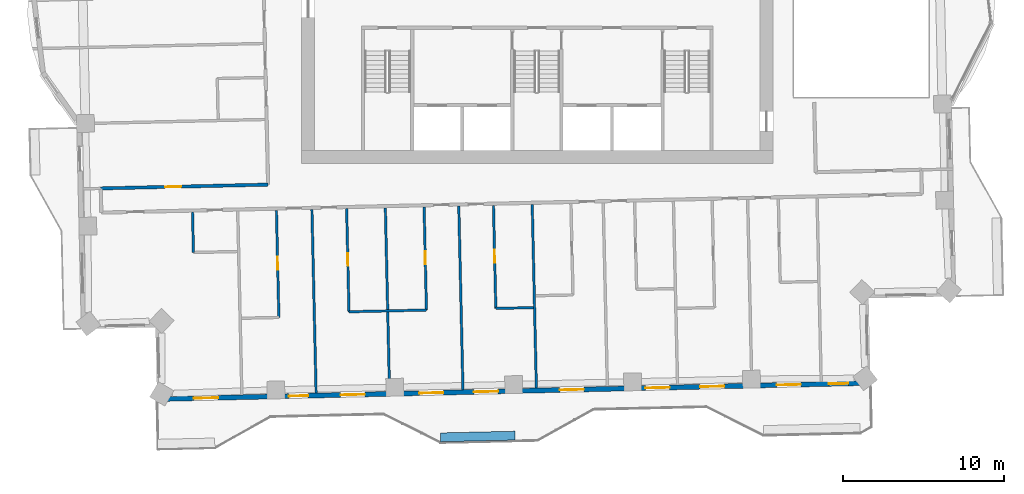
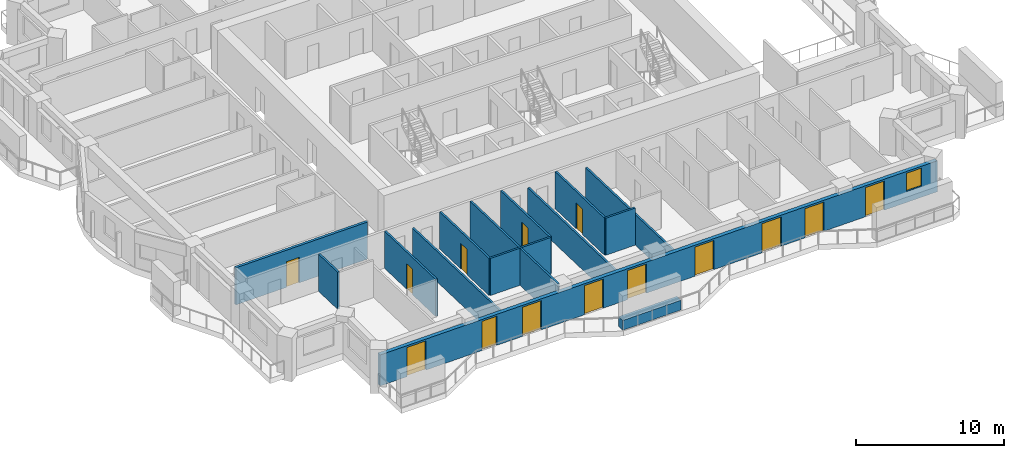
# One storey, part 6 of 17: 14 doors, 14 walls, 1 window, 15 openings.
"""IFC4 building model written with IfcOpenShell, lengths in metres."""

from ifc_helpers import new_model, si_unit, direction, frame, frame_2d, origin, place, context, subcontext, project, spatial, rectangle, extrude, material, layer, layer_set, type_object, element, fill, save


model = new_model("IFC4")

# Units and contexts
model_context = context("Model", 3, precision=1e-05, world=origin(), true_north=direction((0.0, 1.0)))
body_context = subcontext(model_context, "Body", "Model", "MODEL_VIEW")
ifc_project = project(units=[si_unit("LENGTHUNIT", "METRE"), si_unit("AREAUNIT", "SQUARE_METRE"), si_unit("VOLUMEUNIT", "CUBIC_METRE"), si_unit("PLANEANGLEUNIT", "RADIAN"), si_unit("MASSUNIT", "GRAM", prefix="KILO")], contexts=[model_context])

# Site, building, storey
site_placement = place(None, origin())
site = spatial("IfcSite", under=ifc_project, at=site_placement, CompositionType="ELEMENT")
building_placement = place(site_placement, origin())
building = spatial("IfcBuilding", under=site, at=building_placement, Name="Mangrove Gate Tower", CompositionType="ELEMENT")
storey_placement = place(building_placement, frame((0.0, 0.0, 238.300048828125)))
storey = spatial("IfcBuildingStorey", under=building, at=storey_placement, Name="L60", CompositionType="ELEMENT", Elevation=238.300048828125)

# Wall, opening, door
ifc_material_1 = material(Name="Gypsum board on steel stud, EI 60", Category="steel")
ifc_layer_1 = layer(ifc_material_1, 0.199951171875)
ifc_layer_set_1 = layer_set([ifc_layer_1], Name="Corridor wall EI 60")
wall_type_1 = type_object("IfcWallType", Name="Corridor wall EI 60", PredefinedType="PARTITIONING", material=ifc_layer_set_1)
wall_1_placement = place(storey_placement, frame((-27.050048828125, -13.14990234375, 0.0), z_axis=(0.0, 0.0, 1.0), x_axis=(0.999743679035, 0.022640146404, 0.0)))
wall_1 = element("IfcWall", 1, at=wall_1_placement, inside=storey, type_object=wall_type_1, Name="WALL-L60-033", PredefinedType="PARTITIONING", context=body_context, shape_type="SweptSolid", body=[
    extrude(rectangle(XDim=10.373779296875, YDim=0.199951171875, at=frame_2d((5.18701171875, 0.0))), origin(), (0.0, 0.0, 1.0), 3.050048828125),
])
opening_1_placement = place(wall_1_placement, frame((3.987060546875, 0.0, 0.0)))
opening_1 = element("IfcOpeningElement", 2, at=opening_1_placement, cuts=wall_1, Name="Opening AD", PredefinedType="OPENING", context=body_context, shape_type="SweptSolid", body=[
    extrude(rectangle(XDim=1.0, YDim=2.10009765625, at=frame_2d((0.5, 1.050048828125))), frame((0.0, 0.10986328125, 0.0), z_axis=(0.0, -1.0, 0.0), x_axis=(1.0, 0.0, 0.0)), (0.0, 0.0, 1.0), 0.219970703125),
])
ifc_material_2 = material(Name="Timber door leaf", Category="wood")
door_type_1 = type_object("IfcDoorType", Name="Amenity door 1000", OperationType="SINGLE_SWING_LEFT", PredefinedType="DOOR", material=ifc_material_2)
door_1_placement = place(opening_1_placement, origin())
door_1 = element("IfcDoor", 3, at=door_1_placement, inside=storey, type_object=door_type_1, Name="DOOR-L60-GAM-c5b", OperationType="SINGLE_SWING_LEFT", OverallHeight=2.10009765625, OverallWidth=1.0, PredefinedType="DOOR", context=body_context, shape_type="SweptSolid", body=[
    extrude(rectangle(XDim=1.0, YDim=2.10009765625, at=frame_2d((0.5, 1.050048828125))), frame((0.0, 0.02490234375, 0.0), z_axis=(0.0, -1.0, 0.0), x_axis=(1.0, 0.0, 0.0)), (0.0, 0.0, 1.0), 0.050048828125),
])
fill(opening_1, door_1)

# Wall, openings, doors, window
ifc_material_3 = material(Name="Limestone", Category="masonry")
ifc_layer_2 = layer(ifc_material_3, 0.0400390625, Name="Limestone cladding")
ifc_material_4 = material(Name="Ventilated air gap")
ifc_layer_3 = layer(ifc_material_4, 0.0400390625, Name="Ventilated cavity")
ifc_material_5 = material(Name="Mineral wool insulation")
ifc_layer_4 = layer(ifc_material_5, 0.06005859375, Name="Insulation")
ifc_material_6 = material(Name="Breather membrane")
ifc_layer_5 = layer(ifc_material_6, 0.001953125, Name="Breather membrane")
ifc_material_7 = material(Name="Concrete C20/25 blockwork", Category="masonry")
ifc_layer_6 = layer(ifc_material_7, 0.14990234375, Name="Blockwork backing wall")
ifc_material_8 = material(Name="Gypsum plaster")
ifc_layer_7 = layer(ifc_material_8, 0.008056640625, Name="Internal plaster")
ifc_layer_set_2 = layer_set([ifc_layer_2, ifc_layer_3, ifc_layer_4, ifc_layer_5, ifc_layer_6, ifc_layer_7], Name="External wall 300 limestone cladding")
wall_type_2 = type_object("IfcWallType", Name="External wall 300 limestone cladding", PredefinedType="SOLIDWALL", material=ifc_layer_set_2)
wall_2_placement = place(storey_placement, frame((-23.403076171875, -26.200927734375, 0.0), z_axis=(0.0, 0.0, 1.0), x_axis=(0.999742770494, 0.022680230258, 0.0)))
wall_2 = element("IfcWall", 4, at=wall_2_placement, inside=storey, type_object=wall_type_2, Name="WALL-L60-S13", PredefinedType="SOLIDWALL", context=body_context, shape_type="SweptSolid", body=[
    extrude(rectangle(XDim=43.908203125, YDim=0.300048828125, at=frame_2d((21.9541015625, 0.0))), origin(), (0.0, 0.0, 1.0), 2.550048828125),
])
opening_2_placement = place(wall_2_placement, frame((2.1240234375, 0.0, 0.0)))
opening_2 = element("IfcOpeningElement", 5, at=opening_2_placement, cuts=wall_2, Name="Opening BD1", PredefinedType="OPENING", context=body_context, shape_type="SweptSolid", body=[
    extrude(rectangle(XDim=1.5, YDim=2.39990234375, at=frame_2d((0.75, 1.199951171875))), frame((0.0, 0.159912109375, 0.0), z_axis=(0.0, -1.0, 0.0), x_axis=(1.0, 0.0, 0.0)), (0.0, 0.0, 1.0), 0.320068359375),
])
opening_3_placement = place(wall_2_placement, frame((8.009033203125, 0.0, 0.0)))
opening_3 = element("IfcOpeningElement", 6, at=opening_3_placement, cuts=wall_2, Name="Opening BD2", PredefinedType="OPENING", context=body_context, shape_type="SweptSolid", body=[
    extrude(rectangle(XDim=1.199951171875, YDim=2.39990234375, at=frame_2d((0.60009765625, 1.199951171875))), frame((0.0, 0.159912109375, 0.0), z_axis=(0.0, -1.0, 0.0), x_axis=(1.0, 0.0, 0.0)), (0.0, 0.0, 1.0), 0.320068359375),
])
opening_4_placement = place(wall_2_placement, frame((11.22509765625, 0.0, 0.0)))
opening_4 = element("IfcOpeningElement", 7, at=opening_4_placement, cuts=wall_2, Name="Opening BD1", PredefinedType="OPENING", context=body_context, shape_type="SweptSolid", body=[
    extrude(rectangle(XDim=1.5, YDim=2.39990234375, at=frame_2d((0.75, 1.199951171875))), frame((0.0, 0.159912109375, 0.0), z_axis=(0.0, -1.0, 0.0), x_axis=(1.0, 0.0, 0.0)), (0.0, 0.0, 1.0), 0.320068359375),
])
opening_5_placement = place(wall_2_placement, frame((16.093017578125, 0.0, 0.0)))
opening_5 = element("IfcOpeningElement", 8, at=opening_5_placement, cuts=wall_2, Name="Opening BD1", PredefinedType="OPENING", context=body_context, shape_type="SweptSolid", body=[
    extrude(rectangle(XDim=1.5, YDim=2.39990234375, at=frame_2d((0.75, 1.199951171875))), frame((0.0, 0.159912109375, 0.0), z_axis=(0.0, -1.0, 0.0), x_axis=(1.0, 0.0, 0.0)), (0.0, 0.0, 1.0), 0.320068359375),
])
opening_6_placement = place(wall_2_placement, frame((19.47705078125, 0.0, 0.0)))
opening_6 = element("IfcOpeningElement", 9, at=opening_6_placement, cuts=wall_2, Name="Opening BD1", PredefinedType="OPENING", context=body_context, shape_type="SweptSolid", body=[
    extrude(rectangle(XDim=1.5, YDim=2.39990234375, at=frame_2d((0.75, 1.199951171875))), frame((0.0, 0.159912109375, 0.0), z_axis=(0.0, -1.0, 0.0), x_axis=(1.0, 0.0, 0.0)), (0.0, 0.0, 1.0), 0.320068359375),
])
opening_7_placement = place(wall_2_placement, frame((24.800048828125, 0.0, 0.0)))
opening_7 = element("IfcOpeningElement", 10, at=opening_7_placement, cuts=wall_2, Name="Opening BD1", PredefinedType="OPENING", context=body_context, shape_type="SweptSolid", body=[
    extrude(rectangle(XDim=1.5, YDim=2.39990234375, at=frame_2d((0.75, 1.199951171875))), frame((0.0, 0.159912109375, 0.0), z_axis=(0.0, -1.0, 0.0), x_axis=(1.0, 0.0, 0.0)), (0.0, 0.0, 1.0), 0.320068359375),
])
opening_8_placement = place(wall_2_placement, frame((30.111083984375, 0.0, 0.0)))
opening_8 = element("IfcOpeningElement", 11, at=opening_8_placement, cuts=wall_2, Name="Opening BD1", PredefinedType="OPENING", context=body_context, shape_type="SweptSolid", body=[
    extrude(rectangle(XDim=1.5, YDim=2.39990234375, at=frame_2d((0.75, 1.199951171875))), frame((0.0, 0.159912109375, 0.0), z_axis=(0.0, -1.0, 0.0), x_axis=(1.0, 0.0, 0.0)), (0.0, 0.0, 1.0), 0.320068359375),
])
opening_9_placement = place(wall_2_placement, frame((33.4951171875, 0.0, 0.0)))
opening_9 = element("IfcOpeningElement", 12, at=opening_9_placement, cuts=wall_2, Name="Opening BD1", PredefinedType="OPENING", context=body_context, shape_type="SweptSolid", body=[
    extrude(rectangle(XDim=1.5, YDim=2.39990234375, at=frame_2d((0.75, 1.199951171875))), frame((0.0, 0.159912109375, 0.0), z_axis=(0.0, -1.0, 0.0), x_axis=(1.0, 0.0, 0.0)), (0.0, 0.0, 1.0), 0.320068359375),
])
opening_10_placement = place(wall_2_placement, frame((38.2451171875, 0.0, 0.0)))
opening_10 = element("IfcOpeningElement", 13, at=opening_10_placement, cuts=wall_2, Name="Opening BD1", PredefinedType="OPENING", context=body_context, shape_type="SweptSolid", body=[
    extrude(rectangle(XDim=1.5, YDim=2.39990234375, at=frame_2d((0.75, 1.199951171875))), frame((0.0, 0.159912109375, 0.0), z_axis=(0.0, -1.0, 0.0), x_axis=(1.0, 0.0, 0.0)), (0.0, 0.0, 1.0), 0.320068359375),
])
opening_11_placement = place(wall_2_placement, frame((41.48193359375, 0.0, 0.89990234375)))
opening_11 = element("IfcOpeningElement", 14, at=opening_11_placement, cuts=wall_2, Name="Opening W1", PredefinedType="OPENING", context=body_context, shape_type="SweptSolid", body=[
    extrude(rectangle(XDim=1.199951171875, YDim=1.5, at=frame_2d((0.60009765625, 0.75))), frame((0.0, 0.159912109375, 0.0), z_axis=(0.0, -1.0, 0.0), x_axis=(1.0, 0.0, 0.0)), (0.0, 0.0, 1.0), 0.320068359375),
])
ifc_material_9 = material(Name="Aluminium frame with laminated clear glass", Category="aluminium")
door_type_2 = type_object("IfcDoorType", Name="Balcony sliding door 1200x2400", OperationType="SLIDING_TO_LEFT", PredefinedType="DOOR", material=ifc_material_9)
door_2_placement = place(opening_3_placement, origin())
door_2 = element("IfcDoor", 15, at=door_2_placement, inside=storey, type_object=door_type_2, Name="DOOR-L60-S13-2", OperationType="SLIDING_TO_LEFT", OverallHeight=2.39990234375, OverallWidth=1.199951171875, PredefinedType="DOOR", context=body_context, shape_type="SweptSolid", body=[
    extrude(rectangle(XDim=1.199951171875, YDim=2.39990234375, at=frame_2d((0.60009765625, 1.199951171875))), frame((0.0, 0.02490234375, 0.0), z_axis=(0.0, -1.0, 0.0), x_axis=(1.0, 0.0, 0.0)), (0.0, 0.0, 1.0), 0.050048828125),
])
fill(opening_3, door_2)
ifc_material_10 = material(Name="Aluminium frame with laminated clear glass", Category="aluminium")
door_type_3 = type_object("IfcDoorType", Name="Balcony sliding door 1500x2400", OperationType="SLIDING_TO_LEFT", PredefinedType="DOOR", material=ifc_material_10)
door_3_placement = place(opening_2_placement, origin())
door_3 = element("IfcDoor", 16, at=door_3_placement, inside=storey, type_object=door_type_3, Name="DOOR-L60-S13-1", OperationType="SLIDING_TO_LEFT", OverallHeight=2.39990234375, OverallWidth=1.5, PredefinedType="DOOR", context=body_context, shape_type="SweptSolid", body=[
    extrude(rectangle(XDim=1.5, YDim=2.39990234375, at=frame_2d((0.75, 1.199951171875))), frame((0.0, 0.02490234375, 0.0), z_axis=(0.0, -1.0, 0.0), x_axis=(1.0, 0.0, 0.0)), (0.0, 0.0, 1.0), 0.050048828125),
])
fill(opening_2, door_3)
door_4_placement = place(opening_4_placement, origin())
door_4 = element("IfcDoor", 17, at=door_4_placement, inside=storey, type_object=door_type_3, Name="DOOR-L60-S13-3", OperationType="SLIDING_TO_LEFT", OverallHeight=2.39990234375, OverallWidth=1.5, PredefinedType="DOOR", context=body_context, shape_type="SweptSolid", body=[
    extrude(rectangle(XDim=1.5, YDim=2.39990234375, at=frame_2d((0.75, 1.199951171875))), frame((0.0, 0.02490234375, 0.0), z_axis=(0.0, -1.0, 0.0), x_axis=(1.0, 0.0, 0.0)), (0.0, 0.0, 1.0), 0.050048828125),
])
fill(opening_4, door_4)
door_5_placement = place(opening_5_placement, origin())
door_5 = element("IfcDoor", 18, at=door_5_placement, inside=storey, type_object=door_type_3, Name="DOOR-L60-S13-4", OperationType="SLIDING_TO_LEFT", OverallHeight=2.39990234375, OverallWidth=1.5, PredefinedType="DOOR", context=body_context, shape_type="SweptSolid", body=[
    extrude(rectangle(XDim=1.5, YDim=2.39990234375, at=frame_2d((0.75, 1.199951171875))), frame((0.0, 0.02490234375, 0.0), z_axis=(0.0, -1.0, 0.0), x_axis=(1.0, 0.0, 0.0)), (0.0, 0.0, 1.0), 0.050048828125),
])
fill(opening_5, door_5)
door_6_placement = place(opening_6_placement, origin())
door_6 = element("IfcDoor", 19, at=door_6_placement, inside=storey, type_object=door_type_3, Name="DOOR-L60-S13-5", OperationType="SLIDING_TO_LEFT", OverallHeight=2.39990234375, OverallWidth=1.5, PredefinedType="DOOR", context=body_context, shape_type="SweptSolid", body=[
    extrude(rectangle(XDim=1.5, YDim=2.39990234375, at=frame_2d((0.75, 1.199951171875))), frame((0.0, 0.02490234375, 0.0), z_axis=(0.0, -1.0, 0.0), x_axis=(1.0, 0.0, 0.0)), (0.0, 0.0, 1.0), 0.050048828125),
])
fill(opening_6, door_6)
door_7_placement = place(opening_7_placement, origin())
door_7 = element("IfcDoor", 20, at=door_7_placement, inside=storey, type_object=door_type_3, Name="DOOR-L60-S13-6", OperationType="SLIDING_TO_LEFT", OverallHeight=2.39990234375, OverallWidth=1.5, PredefinedType="DOOR", context=body_context, shape_type="SweptSolid", body=[
    extrude(rectangle(XDim=1.5, YDim=2.39990234375, at=frame_2d((0.75, 1.199951171875))), frame((0.0, 0.02490234375, 0.0), z_axis=(0.0, -1.0, 0.0), x_axis=(1.0, 0.0, 0.0)), (0.0, 0.0, 1.0), 0.050048828125),
])
fill(opening_7, door_7)
door_8_placement = place(opening_8_placement, origin())
door_8 = element("IfcDoor", 21, at=door_8_placement, inside=storey, type_object=door_type_3, Name="DOOR-L60-S13-7", OperationType="SLIDING_TO_LEFT", OverallHeight=2.39990234375, OverallWidth=1.5, PredefinedType="DOOR", context=body_context, shape_type="SweptSolid", body=[
    extrude(rectangle(XDim=1.5, YDim=2.39990234375, at=frame_2d((0.75, 1.199951171875))), frame((0.0, 0.02490234375, 0.0), z_axis=(0.0, -1.0, 0.0), x_axis=(1.0, 0.0, 0.0)), (0.0, 0.0, 1.0), 0.050048828125),
])
fill(opening_8, door_8)
door_9_placement = place(opening_9_placement, origin())
door_9 = element("IfcDoor", 22, at=door_9_placement, inside=storey, type_object=door_type_3, Name="DOOR-L60-S13-8", OperationType="SLIDING_TO_LEFT", OverallHeight=2.39990234375, OverallWidth=1.5, PredefinedType="DOOR", context=body_context, shape_type="SweptSolid", body=[
    extrude(rectangle(XDim=1.5, YDim=2.39990234375, at=frame_2d((0.75, 1.199951171875))), frame((0.0, 0.02490234375, 0.0), z_axis=(0.0, -1.0, 0.0), x_axis=(1.0, 0.0, 0.0)), (0.0, 0.0, 1.0), 0.050048828125),
])
fill(opening_9, door_9)
door_10_placement = place(opening_10_placement, origin())
door_10 = element("IfcDoor", 23, at=door_10_placement, inside=storey, type_object=door_type_3, Name="DOOR-L60-S13-9", OperationType="SLIDING_TO_LEFT", OverallHeight=2.39990234375, OverallWidth=1.5, PredefinedType="DOOR", context=body_context, shape_type="SweptSolid", body=[
    extrude(rectangle(XDim=1.5, YDim=2.39990234375, at=frame_2d((0.75, 1.199951171875))), frame((0.0, 0.02490234375, 0.0), z_axis=(0.0, -1.0, 0.0), x_axis=(1.0, 0.0, 0.0)), (0.0, 0.0, 1.0), 0.050048828125),
])
fill(opening_10, door_10)
ifc_material_11 = material(Name="Aluminium frame with double-glazed low-e glass", Category="aluminium")
window_type = type_object("IfcWindowType", Name="Side lite 1200x1500", PartitioningType="SINGLE_PANEL", PredefinedType="WINDOW", material=ifc_material_11)
window_placement = place(opening_11_placement, origin())
window = element("IfcWindow", 24, at=window_placement, inside=storey, type_object=window_type, Name="WIN-L60-S13-10", OverallHeight=1.5, OverallWidth=1.199951171875, PartitioningType="SINGLE_PANEL", PredefinedType="WINDOW", context=body_context, shape_type="SweptSolid", body=[
    extrude(rectangle(XDim=1.199951171875, YDim=1.5, at=frame_2d((0.60009765625, 0.75))), frame((0.0, 0.030029296875, 0.0), z_axis=(0.0, -1.0, 0.0), x_axis=(1.0, 0.0, 0.0)), (0.0, 0.0, 1.0), 0.06005859375),
])
fill(opening_11, window)

# Walls
ifc_material_12 = material(Name="Gypsum board on steel stud, EI 60", Category="steel")
ifc_layer_8 = layer(ifc_material_12, 0.14990234375)
ifc_layer_set_3 = layer_set([ifc_layer_8], Name="Party wall 150 EI 60")
wall_type_3 = type_object("IfcWallType", Name="Party wall 150 EI 60", PredefinedType="PARTITIONING", material=ifc_layer_set_3)
wall_3_placement = place(storey_placement, frame((-13.705078125, -25.8310546875, 0.0), z_axis=(0.0, 0.0, 1.0), x_axis=(-0.022662905301, 0.999743163379, 0.0)))
element("IfcWall", 25, at=wall_3_placement, inside=storey, type_object=wall_type_3, Name="WALL-L60-002", PredefinedType="PARTITIONING", context=body_context, shape_type="SweptSolid", body=[
    extrude(rectangle(XDim=11.3759765625, YDim=0.14990234375, at=frame_2d((5.68798828125, 0.0))), origin(), (0.0, 0.0, 1.0), 2.5),
])
wall_4_placement = place(storey_placement, frame((-9.156005859375, -25.72802734375, 0.0), z_axis=(0.0, 0.0, 1.0), x_axis=(-0.022684355347, 0.999742676904, 0.0)))
element("IfcWall", 26, at=wall_4_placement, inside=storey, type_object=wall_type_3, Name="WALL-L60-003", PredefinedType="PARTITIONING", context=body_context, shape_type="SweptSolid", body=[
    extrude(rectangle(XDim=11.3759765625, YDim=0.14990234375, at=frame_2d((5.68798828125, 0.0))), origin(), (0.0, 0.0, 1.0), 3.050048828125),
])
for number, where, z_axis, x_axis, name in (
    (27, (-4.60693359375, -25.6240234375, 0.0), (0.0, 0.0, 1.0), (-0.022684355347, 0.999742676904, 0.0), "WALL-L60-004"),
    (28, (-0.05810546875, -25.52099609375, 0.0), (0.0, 0.0, 1.0), (-0.022662905301, 0.999743163379, 0.0), "WALL-L60-005"),
):
    element("IfcWall", number, at=place(storey_placement, frame(where, z_axis=z_axis, x_axis=x_axis)), inside=storey, type_object=wall_type_3, Name=name, PredefinedType="PARTITIONING", context=body_context, shape_type="SweptSolid", body=[
        extrude(rectangle(XDim=11.3759765625, YDim=0.14990234375, at=frame_2d((5.68798828125, 0.0))), origin(), (0.0, 0.0, 1.0), 2.5),
    ])

# Wall, opening, door
wall_5_placement = place(storey_placement, frame((-16.010986328125, -21.14599609375, 0.0), z_axis=(0.0, 0.0, 1.0), x_axis=(-0.022760662159, 0.999740942574, 0.0)))
wall_5 = element("IfcWall", 29, at=wall_5_placement, inside=storey, type_object=wall_type_3, Name="WALL-L60-010", PredefinedType="PARTITIONING", context=body_context, shape_type="SweptSolid", body=[
    extrude(rectangle(XDim=6.6396484375, YDim=0.14990234375, at=frame_2d((3.31982421875, 0.0))), origin(), (0.0, 0.0, 1.0), 3.050048828125),
])
opening_12_placement = place(wall_5_placement, frame((2.969970703125, 0.0, 0.0)))
opening_12 = element("IfcOpeningElement", 30, at=opening_12_placement, cuts=wall_5, Name="Opening ED", PredefinedType="OPENING", context=body_context, shape_type="SweptSolid", body=[
    extrude(rectangle(XDim=0.800048828125, YDim=2.10009765625, at=frame_2d((0.39990234375, 1.050048828125))), frame((0.0, 0.0849609375, 0.0), z_axis=(0.0, -1.0, 0.0), x_axis=(1.0, 0.0, 0.0)), (0.0, 0.0, 1.0), 0.169921875),
])
ifc_material_13 = material(Name="Timber door leaf", Category="wood")
door_type_4 = type_object("IfcDoorType", Name="En-suite door 800", OperationType="SINGLE_SWING_LEFT", PredefinedType="DOOR", material=ifc_material_13)
door_11_placement = place(opening_12_placement, origin())
door_11 = element("IfcDoor", 31, at=door_11_placement, inside=storey, type_object=door_type_4, Name="DOOR-L60-ENS-c101", OperationType="SINGLE_SWING_LEFT", OverallHeight=2.10009765625, OverallWidth=0.800048828125, PredefinedType="DOOR", context=body_context, shape_type="SweptSolid", body=[
    extrude(rectangle(XDim=0.800048828125, YDim=2.10009765625, at=frame_2d((0.39990234375, 1.050048828125))), frame((0.0, 0.02490234375, 0.0), z_axis=(0.0, -1.0, 0.0), x_axis=(1.0, 0.0, 0.0)), (0.0, 0.0, 1.0), 0.050048828125),
])
fill(opening_12, door_11)

wall_6_placement = place(storey_placement, frame((-11.66796875, -20.797119140625, 0.0), z_axis=(0.0, 0.0, 1.0), x_axis=(-0.022695368097, 0.999742426962, 0.0)))
wall_6 = element("IfcWall", 32, at=wall_6_placement, inside=storey, type_object=wall_type_3, Name="WALL-L60-014", PredefinedType="PARTITIONING", context=body_context, shape_type="SweptSolid", body=[
    extrude(rectangle(XDim=6.389892578125, YDim=0.14990234375, at=frame_2d((3.19482421875, 0.0))), origin(), (0.0, 0.0, 1.0), 3.050048828125),
])
opening_13_placement = place(wall_6_placement, frame((2.844970703125, 0.0, 0.0)))
opening_13 = element("IfcOpeningElement", 33, at=opening_13_placement, cuts=wall_6, Name="Opening ED", PredefinedType="OPENING", context=body_context, shape_type="SweptSolid", body=[
    extrude(rectangle(XDim=0.800048828125, YDim=2.10009765625, at=frame_2d((0.39990234375, 1.050048828125))), frame((0.0, 0.0849609375, 0.0), z_axis=(0.0, -1.0, 0.0), x_axis=(1.0, 0.0, 0.0)), (0.0, 0.0, 1.0), 0.169921875),
])
door_12_placement = place(opening_13_placement, origin())
door_12 = element("IfcDoor", 34, at=door_12_placement, inside=storey, type_object=door_type_4, Name="DOOR-L60-ENS-c102", OperationType="SINGLE_SWING_RIGHT", OverallHeight=2.10009765625, OverallWidth=0.800048828125, PredefinedType="DOOR", context=body_context, shape_type="SweptSolid", body=[
    extrude(rectangle(XDim=0.800048828125, YDim=2.10009765625, at=frame_2d((0.39990234375, 1.050048828125))), frame((0.0, 0.02490234375, 0.0), z_axis=(0.0, -1.0, 0.0), x_axis=(1.0, 0.0, 0.0)), (0.0, 0.0, 1.0), 0.050048828125),
])
fill(opening_13, door_12)

wall_7_placement = place(storey_placement, frame((-6.868896484375, -20.68798828125, 0.0), z_axis=(0.0, 0.0, 1.0), x_axis=(-0.022696235044, 0.99974240728, 0.0)))
wall_7 = element("IfcWall", 35, at=wall_7_placement, inside=storey, type_object=wall_type_3, Name="WALL-L60-015", PredefinedType="PARTITIONING", context=body_context, shape_type="SweptSolid", body=[
    extrude(rectangle(XDim=6.3896484375, YDim=0.14990234375, at=frame_2d((3.19482421875, 0.0))), origin(), (0.0, 0.0, 1.0), 3.050048828125),
])
opening_14_placement = place(wall_7_placement, frame((2.844970703125, 0.0, 0.0)))
opening_14 = element("IfcOpeningElement", 36, at=opening_14_placement, cuts=wall_7, Name="Opening ED", PredefinedType="OPENING", context=body_context, shape_type="SweptSolid", body=[
    extrude(rectangle(XDim=0.800048828125, YDim=2.10009765625, at=frame_2d((0.39990234375, 1.050048828125))), frame((0.0, 0.0849609375, 0.0), z_axis=(0.0, -1.0, 0.0), x_axis=(1.0, 0.0, 0.0)), (0.0, 0.0, 1.0), 0.169921875),
])
door_13_placement = place(opening_14_placement, origin())
door_13 = element("IfcDoor", 37, at=door_13_placement, inside=storey, type_object=door_type_4, Name="DOOR-L60-ENS-c103", OperationType="SINGLE_SWING_LEFT", OverallHeight=2.10009765625, OverallWidth=0.800048828125, PredefinedType="DOOR", context=body_context, shape_type="SweptSolid", body=[
    extrude(rectangle(XDim=0.800048828125, YDim=2.10009765625, at=frame_2d((0.39990234375, 1.050048828125))), frame((0.0, 0.02490234375, 0.0), z_axis=(0.0, -1.0, 0.0), x_axis=(1.0, 0.0, 0.0)), (0.0, 0.0, 1.0), 0.050048828125),
])
fill(opening_14, door_13)

wall_8_placement = place(storey_placement, frame((-2.571044921875, -20.591064453125, 0.0), z_axis=(0.0, 0.0, 1.0), x_axis=(-0.022695368097, 0.999742426962, 0.0)))
wall_8 = element("IfcWall", 38, at=wall_8_placement, inside=storey, type_object=wall_type_3, Name="WALL-L60-016", PredefinedType="PARTITIONING", context=body_context, shape_type="SweptSolid", body=[
    extrude(rectangle(XDim=6.389892578125, YDim=0.14990234375, at=frame_2d((3.19482421875, 0.0))), origin(), (0.0, 0.0, 1.0), 3.050048828125),
])
opening_15_placement = place(wall_8_placement, frame((2.844970703125, 0.0, 0.0)))
opening_15 = element("IfcOpeningElement", 39, at=opening_15_placement, cuts=wall_8, Name="Opening ED", PredefinedType="OPENING", context=body_context, shape_type="SweptSolid", body=[
    extrude(rectangle(XDim=0.800048828125, YDim=2.10009765625, at=frame_2d((0.39990234375, 1.050048828125))), frame((0.0, 0.0849609375, 0.0), z_axis=(0.0, -1.0, 0.0), x_axis=(1.0, 0.0, 0.0)), (0.0, 0.0, 1.0), 0.169921875),
])
door_14_placement = place(opening_15_placement, origin())
door_14 = element("IfcDoor", 40, at=door_14_placement, inside=storey, type_object=door_type_4, Name="DOOR-L60-ENS-c104", OperationType="SINGLE_SWING_RIGHT", OverallHeight=2.10009765625, OverallWidth=0.800048828125, PredefinedType="DOOR", context=body_context, shape_type="SweptSolid", body=[
    extrude(rectangle(XDim=0.800048828125, YDim=2.10009765625, at=frame_2d((0.39990234375, 1.050048828125))), frame((0.0, 0.02490234375, 0.0), z_axis=(0.0, -1.0, 0.0), x_axis=(1.0, 0.0, 0.0)), (0.0, 0.0, 1.0), 0.050048828125),
])
fill(opening_15, door_14)

# Walls
wall_9_placement = place(storey_placement, frame((-11.672119140625, -20.79296875, 0.0), z_axis=(0.0, 0.0, 1.0), x_axis=(0.999747191239, 0.022484519337, 0.0)))
element("IfcWall", 41, at=wall_9_placement, inside=storey, type_object=wall_type_3, Name="WALL-L60-017", PredefinedType="PARTITIONING", context=body_context, shape_type="SweptSolid", body=[
    extrude(rectangle(XDim=4.79931640625, YDim=0.14990234375, at=frame_2d((2.399658203125, 0.0))), origin(), (0.0, 0.0, 1.0), 3.050048828125),
])
wall_10_placement = place(storey_placement, frame((-2.574951171875, -20.5869140625, 0.0), z_axis=(0.0, 0.0, 1.0), x_axis=(0.999740478815, 0.022781023197, 0.0)))
element("IfcWall", 42, at=wall_10_placement, inside=storey, type_object=wall_type_3, Name="WALL-L60-018", PredefinedType="PARTITIONING", context=body_context, shape_type="SweptSolid", body=[
    extrude(rectangle(XDim=2.325439453125, YDim=0.14990234375, at=frame_2d((1.16259765625, 0.0))), origin(), (0.0, 0.0, 1.0), 3.050048828125),
])
wall_11_placement = place(storey_placement, frame((-21.303955078125, -17.125, 0.0), z_axis=(0.0, 0.0, 1.0), x_axis=(-0.022854521249, 0.999738801317, 0.0)))
element("IfcWall", 43, at=wall_11_placement, inside=storey, type_object=wall_type_3, Name="WALL-L60-025", PredefinedType="PARTITIONING", context=body_context, shape_type="SweptSolid", body=[
    extrude(rectangle(XDim=2.499755859375, YDim=0.14990234375, at=frame_2d((1.25, 0.0))), origin(), (0.0, 0.0, 1.0), 3.050048828125),
])
ifc_material_14 = material(Name="Concrete C32/40", Category="concrete")
ifc_layer_9 = layer(ifc_material_14, 0.199951171875, Name="Planter trough wall")
ifc_material_15 = material(Name="Bituminous waterproofing membrane")
ifc_layer_10 = layer(ifc_material_15, 0.0048828125, Name="Waterproofing")
ifc_material_16 = material(Name="Drainage board and gravel")
ifc_layer_11 = layer(ifc_material_16, 0.044921875, Name="Drainage layer")
ifc_material_17 = material(Name="Planting soil")
ifc_layer_12 = layer(ifc_material_17, 0.300048828125, Name="Growing medium")
ifc_layer_set_4 = layer_set([ifc_layer_9, ifc_layer_10, ifc_layer_11, ifc_layer_12], Name="Planter wall 550 C32/40")
wall_type_4 = type_object("IfcWallType", Name="Planter wall 550 C32/40", PredefinedType="USERDEFINED", material=ifc_layer_set_4)
wall_12_placement = place(storey_placement, frame((-5.989990234375, -28.572021484375, 0.0), z_axis=(0.0, 0.0, 1.0), x_axis=(0.999739556364, 0.022821468877, 0.0)))
element("IfcWall", 44, at=wall_12_placement, inside=storey, type_object=wall_type_4, Name="PLANTER L60 S0.2", ObjectType="PLANTER", PredefinedType="USERDEFINED", context=body_context, shape_type="SweptSolid", body=[
    extrude(rectangle(XDim=4.60009765625, YDim=0.550048828125, at=frame_2d((2.300048828125, 0.0))), origin(), (0.0, 0.0, 1.0), 0.800048828125),
])

save(model, "model.ifc")
